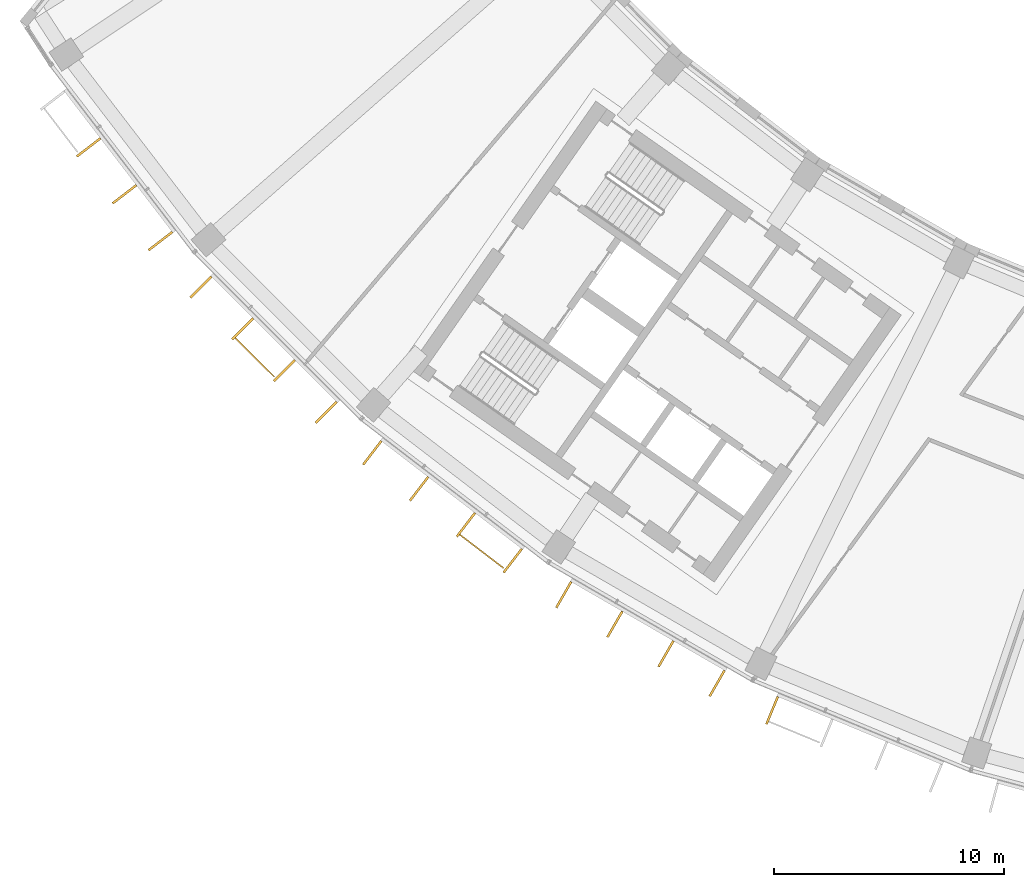
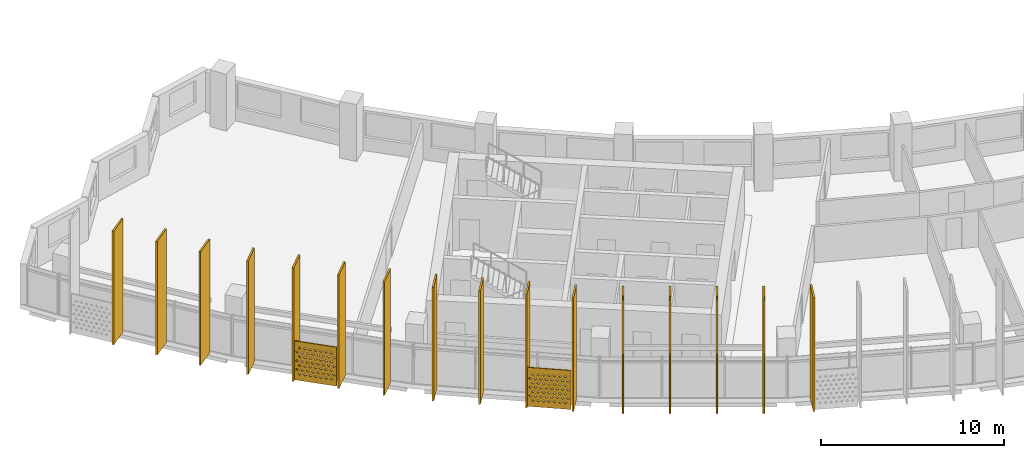
# One storey, part 23 of 28: 18 shading devices.
"""IFC4 building model written with IfcOpenShell, lengths in metres."""

from ifc_helpers import new_model, si_unit, direction, frame, origin, origin_2d, place, context, subcontext, project, spatial, polyline, rectangle, outline, extrude, material, material_profile, profile_set, type_object, element, save


model = new_model("IFC4")

# Units and contexts
model_context = context("Model", 3, precision=1e-05, world=origin(), true_north=direction((0.0, 1.0)))
body_context = subcontext(model_context, "Body", "Model", "MODEL_VIEW")
ifc_project = project(units=[si_unit("LENGTHUNIT", "METRE"), si_unit("AREAUNIT", "SQUARE_METRE"), si_unit("VOLUMEUNIT", "CUBIC_METRE"), si_unit("PLANEANGLEUNIT", "RADIAN"), si_unit("MASSUNIT", "GRAM", prefix="KILO")], contexts=[model_context])

# Site, building, storey
site_placement = place(None, origin())
site = spatial("IfcSite", under=ifc_project, at=site_placement, CompositionType="ELEMENT")
building_placement = place(site_placement, origin())
building = spatial("IfcBuilding", under=site, at=building_placement, Name="Qamariyya Broadcast Tower", CompositionType="ELEMENT")
storey_placement = place(building_placement, frame((0.0, 0.0, 218.89990234375)))
storey = spatial("IfcBuildingStorey", under=building, at=storey_placement, Name="L52", CompositionType="ELEMENT", Elevation=218.89990234375)

# Shading devices
ifc_material_1 = material(Name="Perforated glazed terracotta", Category="masonry")
ifc_material_profile_1 = material_profile(ifc_material_1, outline(polyline([(-1.199951171875, -1.300048828125), (1.199951171875, -1.300048828125), (1.199951171875, 1.300048828125), (-1.199951171875, 1.300048828125), (-1.199951171875, -1.300048828125)]), holes=[polyline([(-0.81494140625, -0.86669921875), (-0.89990234375, -0.78173828125), (-0.985107421875, -0.86669921875), (-0.89990234375, -0.95166015625), (-0.81494140625, -0.86669921875)]), polyline([(-0.514892578125, -0.86669921875), (-0.60009765625, -0.78173828125), (-0.68505859375, -0.86669921875), (-0.60009765625, -0.95166015625), (-0.514892578125, -0.86669921875)]), polyline([(-0.215087890625, -0.86669921875), (-0.300048828125, -0.78173828125), (-0.385009765625, -0.86669921875), (-0.300048828125, -0.95166015625), (-0.215087890625, -0.86669921875)]), polyline([(0.0849609375, -0.86669921875), (0.0, -0.78173828125), (-0.0849609375, -0.86669921875), (0.0, -0.95166015625), (0.0849609375, -0.86669921875)]), polyline([(0.385009765625, -0.86669921875), (0.300048828125, -0.78173828125), (0.215087890625, -0.86669921875), (0.300048828125, -0.95166015625), (0.385009765625, -0.86669921875)]), polyline([(0.68505859375, -0.86669921875), (0.60009765625, -0.78173828125), (0.514892578125, -0.86669921875), (0.60009765625, -0.95166015625), (0.68505859375, -0.86669921875)]), polyline([(0.985107421875, -0.86669921875), (0.89990234375, -0.78173828125), (0.81494140625, -0.86669921875), (0.89990234375, -0.95166015625), (0.985107421875, -0.86669921875)]), polyline([(-0.965087890625, -0.577880859375), (-1.050048828125, -0.49267578125), (-1.135009765625, -0.577880859375), (-1.050048828125, -0.662841796875), (-0.965087890625, -0.577880859375)]), polyline([(-0.6650390625, -0.577880859375), (-0.75, -0.49267578125), (-0.8349609375, -0.577880859375), (-0.75, -0.662841796875), (-0.6650390625, -0.577880859375)]), polyline([(-0.364990234375, -0.577880859375), (-0.449951171875, -0.49267578125), (-0.534912109375, -0.577880859375), (-0.449951171875, -0.662841796875), (-0.364990234375, -0.577880859375)]), polyline([(-0.06494140625, -0.577880859375), (-0.14990234375, -0.49267578125), (-0.235107421875, -0.577880859375), (-0.14990234375, -0.662841796875), (-0.06494140625, -0.577880859375)]), polyline([(0.235107421875, -0.577880859375), (0.14990234375, -0.49267578125), (0.06494140625, -0.577880859375), (0.14990234375, -0.662841796875), (0.235107421875, -0.577880859375)]), polyline([(0.534912109375, -0.577880859375), (0.449951171875, -0.49267578125), (0.364990234375, -0.577880859375), (0.449951171875, -0.662841796875), (0.534912109375, -0.577880859375)]), polyline([(0.8349609375, -0.577880859375), (0.75, -0.49267578125), (0.6650390625, -0.577880859375), (0.75, -0.662841796875), (0.8349609375, -0.577880859375)]), polyline([(1.135009765625, -0.577880859375), (1.050048828125, -0.49267578125), (0.965087890625, -0.577880859375), (1.050048828125, -0.662841796875), (1.135009765625, -0.577880859375)]), polyline([(-0.81494140625, -0.288818359375), (-0.89990234375, -0.203857421875), (-0.985107421875, -0.288818359375), (-0.89990234375, -0.373779296875), (-0.81494140625, -0.288818359375)]), polyline([(-0.514892578125, -0.288818359375), (-0.60009765625, -0.203857421875), (-0.68505859375, -0.288818359375), (-0.60009765625, -0.373779296875), (-0.514892578125, -0.288818359375)]), polyline([(-0.215087890625, -0.288818359375), (-0.300048828125, -0.203857421875), (-0.385009765625, -0.288818359375), (-0.300048828125, -0.373779296875), (-0.215087890625, -0.288818359375)]), polyline([(0.0849609375, -0.288818359375), (0.0, -0.203857421875), (-0.0849609375, -0.288818359375), (0.0, -0.373779296875), (0.0849609375, -0.288818359375)]), polyline([(0.385009765625, -0.288818359375), (0.300048828125, -0.203857421875), (0.215087890625, -0.288818359375), (0.300048828125, -0.373779296875), (0.385009765625, -0.288818359375)]), polyline([(0.68505859375, -0.288818359375), (0.60009765625, -0.203857421875), (0.514892578125, -0.288818359375), (0.60009765625, -0.373779296875), (0.68505859375, -0.288818359375)]), polyline([(0.985107421875, -0.288818359375), (0.89990234375, -0.203857421875), (0.81494140625, -0.288818359375), (0.89990234375, -0.373779296875), (0.985107421875, -0.288818359375)]), polyline([(-0.965087890625, 0.0), (-1.050048828125, 0.0849609375), (-1.135009765625, 0.0), (-1.050048828125, -0.0849609375), (-0.965087890625, 0.0)]), polyline([(-0.6650390625, 0.0), (-0.75, 0.0849609375), (-0.8349609375, 0.0), (-0.75, -0.0849609375), (-0.6650390625, 0.0)]), polyline([(-0.364990234375, 0.0), (-0.449951171875, 0.0849609375), (-0.534912109375, 0.0), (-0.449951171875, -0.0849609375), (-0.364990234375, 0.0)]), polyline([(-0.06494140625, 0.0), (-0.14990234375, 0.0849609375), (-0.235107421875, 0.0), (-0.14990234375, -0.0849609375), (-0.06494140625, 0.0)]), polyline([(0.235107421875, 0.0), (0.14990234375, 0.0849609375), (0.06494140625, 0.0), (0.14990234375, -0.0849609375), (0.235107421875, 0.0)]), polyline([(0.534912109375, 0.0), (0.449951171875, 0.0849609375), (0.364990234375, 0.0), (0.449951171875, -0.0849609375), (0.534912109375, 0.0)]), polyline([(0.8349609375, 0.0), (0.75, 0.0849609375), (0.6650390625, 0.0), (0.75, -0.0849609375), (0.8349609375, 0.0)]), polyline([(1.135009765625, 0.0), (1.050048828125, 0.0849609375), (0.965087890625, 0.0), (1.050048828125, -0.0849609375), (1.135009765625, 0.0)]), polyline([(-0.81494140625, 0.288818359375), (-0.89990234375, 0.373779296875), (-0.985107421875, 0.288818359375), (-0.89990234375, 0.203857421875), (-0.81494140625, 0.288818359375)]), polyline([(-0.514892578125, 0.288818359375), (-0.60009765625, 0.373779296875), (-0.68505859375, 0.288818359375), (-0.60009765625, 0.203857421875), (-0.514892578125, 0.288818359375)]), polyline([(-0.215087890625, 0.288818359375), (-0.300048828125, 0.373779296875), (-0.385009765625, 0.288818359375), (-0.300048828125, 0.203857421875), (-0.215087890625, 0.288818359375)]), polyline([(0.0849609375, 0.288818359375), (0.0, 0.373779296875), (-0.0849609375, 0.288818359375), (0.0, 0.203857421875), (0.0849609375, 0.288818359375)]), polyline([(0.385009765625, 0.288818359375), (0.300048828125, 0.373779296875), (0.215087890625, 0.288818359375), (0.300048828125, 0.203857421875), (0.385009765625, 0.288818359375)]), polyline([(0.68505859375, 0.288818359375), (0.60009765625, 0.373779296875), (0.514892578125, 0.288818359375), (0.60009765625, 0.203857421875), (0.68505859375, 0.288818359375)]), polyline([(0.985107421875, 0.288818359375), (0.89990234375, 0.373779296875), (0.81494140625, 0.288818359375), (0.89990234375, 0.203857421875), (0.985107421875, 0.288818359375)]), polyline([(-0.965087890625, 0.577880859375), (-1.050048828125, 0.662841796875), (-1.135009765625, 0.577880859375), (-1.050048828125, 0.49267578125), (-0.965087890625, 0.577880859375)]), polyline([(-0.6650390625, 0.577880859375), (-0.75, 0.662841796875), (-0.8349609375, 0.577880859375), (-0.75, 0.49267578125), (-0.6650390625, 0.577880859375)]), polyline([(-0.364990234375, 0.577880859375), (-0.449951171875, 0.662841796875), (-0.534912109375, 0.577880859375), (-0.449951171875, 0.49267578125), (-0.364990234375, 0.577880859375)]), polyline([(-0.06494140625, 0.577880859375), (-0.14990234375, 0.662841796875), (-0.235107421875, 0.577880859375), (-0.14990234375, 0.49267578125), (-0.06494140625, 0.577880859375)]), polyline([(0.235107421875, 0.577880859375), (0.14990234375, 0.662841796875), (0.06494140625, 0.577880859375), (0.14990234375, 0.49267578125), (0.235107421875, 0.577880859375)]), polyline([(0.534912109375, 0.577880859375), (0.449951171875, 0.662841796875), (0.364990234375, 0.577880859375), (0.449951171875, 0.49267578125), (0.534912109375, 0.577880859375)]), polyline([(0.8349609375, 0.577880859375), (0.75, 0.662841796875), (0.6650390625, 0.577880859375), (0.75, 0.49267578125), (0.8349609375, 0.577880859375)]), polyline([(1.135009765625, 0.577880859375), (1.050048828125, 0.662841796875), (0.965087890625, 0.577880859375), (1.050048828125, 0.49267578125), (1.135009765625, 0.577880859375)]), polyline([(-0.81494140625, 0.86669921875), (-0.89990234375, 0.95166015625), (-0.985107421875, 0.86669921875), (-0.89990234375, 0.78173828125), (-0.81494140625, 0.86669921875)]), polyline([(-0.514892578125, 0.86669921875), (-0.60009765625, 0.95166015625), (-0.68505859375, 0.86669921875), (-0.60009765625, 0.78173828125), (-0.514892578125, 0.86669921875)]), polyline([(-0.215087890625, 0.86669921875), (-0.300048828125, 0.95166015625), (-0.385009765625, 0.86669921875), (-0.300048828125, 0.78173828125), (-0.215087890625, 0.86669921875)]), polyline([(0.0849609375, 0.86669921875), (0.0, 0.95166015625), (-0.0849609375, 0.86669921875), (0.0, 0.78173828125), (0.0849609375, 0.86669921875)]), polyline([(0.385009765625, 0.86669921875), (0.300048828125, 0.95166015625), (0.215087890625, 0.86669921875), (0.300048828125, 0.78173828125), (0.385009765625, 0.86669921875)]), polyline([(0.68505859375, 0.86669921875), (0.60009765625, 0.95166015625), (0.514892578125, 0.86669921875), (0.60009765625, 0.78173828125), (0.68505859375, 0.86669921875)]), polyline([(0.985107421875, 0.86669921875), (0.89990234375, 0.95166015625), (0.81494140625, 0.86669921875), (0.89990234375, 0.78173828125), (0.985107421875, 0.86669921875)])]))
ifc_profile_set_1 = profile_set([ifc_material_profile_1], Name="Perforated glazed terracotta")
shading_device_type_1 = type_object("IfcShadingDeviceType", Name="Perforated terracotta screen 2400 x 2600", PredefinedType="USERDEFINED", material=ifc_profile_set_1)
shading_device_1_placement = place(storey_placement, frame((-56.41845703125, -56.367431640625, 1.35009765625), z_axis=(-0.705066081692, -0.709141608176, 0.0), x_axis=(0.709141608176, -0.705066081692, 0.0)))
element("IfcShadingDevice", 1, at=shading_device_1_placement, inside=storey, type_object=shading_device_type_1, Name="e-scr-L52-02-1", ObjectType="SCREEN", PredefinedType="USERDEFINED", context=body_context, shape_type="SweptSolid", body=[
    extrude(outline(polyline([(-1.199951171875, -1.300048828125), (1.199951171875, -1.300048828125), (1.199951171875, 1.300048828125), (-1.199951171875, 1.300048828125), (-1.199951171875, -1.300048828125)]), holes=[polyline([(-0.81494140625, -0.86669921875), (-0.89990234375, -0.78173828125), (-0.985107421875, -0.86669921875), (-0.89990234375, -0.95166015625), (-0.81494140625, -0.86669921875)]), polyline([(-0.514892578125, -0.86669921875), (-0.60009765625, -0.78173828125), (-0.68505859375, -0.86669921875), (-0.60009765625, -0.95166015625), (-0.514892578125, -0.86669921875)]), polyline([(-0.215087890625, -0.86669921875), (-0.300048828125, -0.78173828125), (-0.385009765625, -0.86669921875), (-0.300048828125, -0.95166015625), (-0.215087890625, -0.86669921875)]), polyline([(0.0849609375, -0.86669921875), (0.0, -0.78173828125), (-0.0849609375, -0.86669921875), (0.0, -0.95166015625), (0.0849609375, -0.86669921875)]), polyline([(0.385009765625, -0.86669921875), (0.300048828125, -0.78173828125), (0.215087890625, -0.86669921875), (0.300048828125, -0.95166015625), (0.385009765625, -0.86669921875)]), polyline([(0.68505859375, -0.86669921875), (0.60009765625, -0.78173828125), (0.514892578125, -0.86669921875), (0.60009765625, -0.95166015625), (0.68505859375, -0.86669921875)]), polyline([(0.985107421875, -0.86669921875), (0.89990234375, -0.78173828125), (0.81494140625, -0.86669921875), (0.89990234375, -0.95166015625), (0.985107421875, -0.86669921875)]), polyline([(-0.965087890625, -0.577880859375), (-1.050048828125, -0.49267578125), (-1.135009765625, -0.577880859375), (-1.050048828125, -0.662841796875), (-0.965087890625, -0.577880859375)]), polyline([(-0.6650390625, -0.577880859375), (-0.75, -0.49267578125), (-0.8349609375, -0.577880859375), (-0.75, -0.662841796875), (-0.6650390625, -0.577880859375)]), polyline([(-0.364990234375, -0.577880859375), (-0.449951171875, -0.49267578125), (-0.534912109375, -0.577880859375), (-0.449951171875, -0.662841796875), (-0.364990234375, -0.577880859375)]), polyline([(-0.06494140625, -0.577880859375), (-0.14990234375, -0.49267578125), (-0.235107421875, -0.577880859375), (-0.14990234375, -0.662841796875), (-0.06494140625, -0.577880859375)]), polyline([(0.235107421875, -0.577880859375), (0.14990234375, -0.49267578125), (0.06494140625, -0.577880859375), (0.14990234375, -0.662841796875), (0.235107421875, -0.577880859375)]), polyline([(0.534912109375, -0.577880859375), (0.449951171875, -0.49267578125), (0.364990234375, -0.577880859375), (0.449951171875, -0.662841796875), (0.534912109375, -0.577880859375)]), polyline([(0.8349609375, -0.577880859375), (0.75, -0.49267578125), (0.6650390625, -0.577880859375), (0.75, -0.662841796875), (0.8349609375, -0.577880859375)]), polyline([(1.135009765625, -0.577880859375), (1.050048828125, -0.49267578125), (0.965087890625, -0.577880859375), (1.050048828125, -0.662841796875), (1.135009765625, -0.577880859375)]), polyline([(-0.81494140625, -0.288818359375), (-0.89990234375, -0.203857421875), (-0.985107421875, -0.288818359375), (-0.89990234375, -0.373779296875), (-0.81494140625, -0.288818359375)]), polyline([(-0.514892578125, -0.288818359375), (-0.60009765625, -0.203857421875), (-0.68505859375, -0.288818359375), (-0.60009765625, -0.373779296875), (-0.514892578125, -0.288818359375)]), polyline([(-0.215087890625, -0.288818359375), (-0.300048828125, -0.203857421875), (-0.385009765625, -0.288818359375), (-0.300048828125, -0.373779296875), (-0.215087890625, -0.288818359375)]), polyline([(0.0849609375, -0.288818359375), (0.0, -0.203857421875), (-0.0849609375, -0.288818359375), (0.0, -0.373779296875), (0.0849609375, -0.288818359375)]), polyline([(0.385009765625, -0.288818359375), (0.300048828125, -0.203857421875), (0.215087890625, -0.288818359375), (0.300048828125, -0.373779296875), (0.385009765625, -0.288818359375)]), polyline([(0.68505859375, -0.288818359375), (0.60009765625, -0.203857421875), (0.514892578125, -0.288818359375), (0.60009765625, -0.373779296875), (0.68505859375, -0.288818359375)]), polyline([(0.985107421875, -0.288818359375), (0.89990234375, -0.203857421875), (0.81494140625, -0.288818359375), (0.89990234375, -0.373779296875), (0.985107421875, -0.288818359375)]), polyline([(-0.965087890625, 0.0), (-1.050048828125, 0.0849609375), (-1.135009765625, 0.0), (-1.050048828125, -0.0849609375), (-0.965087890625, 0.0)]), polyline([(-0.6650390625, 0.0), (-0.75, 0.0849609375), (-0.8349609375, 0.0), (-0.75, -0.0849609375), (-0.6650390625, 0.0)]), polyline([(-0.364990234375, 0.0), (-0.449951171875, 0.0849609375), (-0.534912109375, 0.0), (-0.449951171875, -0.0849609375), (-0.364990234375, 0.0)]), polyline([(-0.06494140625, 0.0), (-0.14990234375, 0.0849609375), (-0.235107421875, 0.0), (-0.14990234375, -0.0849609375), (-0.06494140625, 0.0)]), polyline([(0.235107421875, 0.0), (0.14990234375, 0.0849609375), (0.06494140625, 0.0), (0.14990234375, -0.0849609375), (0.235107421875, 0.0)]), polyline([(0.534912109375, 0.0), (0.449951171875, 0.0849609375), (0.364990234375, 0.0), (0.449951171875, -0.0849609375), (0.534912109375, 0.0)]), polyline([(0.8349609375, 0.0), (0.75, 0.0849609375), (0.6650390625, 0.0), (0.75, -0.0849609375), (0.8349609375, 0.0)]), polyline([(1.135009765625, 0.0), (1.050048828125, 0.0849609375), (0.965087890625, 0.0), (1.050048828125, -0.0849609375), (1.135009765625, 0.0)]), polyline([(-0.81494140625, 0.288818359375), (-0.89990234375, 0.373779296875), (-0.985107421875, 0.288818359375), (-0.89990234375, 0.203857421875), (-0.81494140625, 0.288818359375)]), polyline([(-0.514892578125, 0.288818359375), (-0.60009765625, 0.373779296875), (-0.68505859375, 0.288818359375), (-0.60009765625, 0.203857421875), (-0.514892578125, 0.288818359375)]), polyline([(-0.215087890625, 0.288818359375), (-0.300048828125, 0.373779296875), (-0.385009765625, 0.288818359375), (-0.300048828125, 0.203857421875), (-0.215087890625, 0.288818359375)]), polyline([(0.0849609375, 0.288818359375), (0.0, 0.373779296875), (-0.0849609375, 0.288818359375), (0.0, 0.203857421875), (0.0849609375, 0.288818359375)]), polyline([(0.385009765625, 0.288818359375), (0.300048828125, 0.373779296875), (0.215087890625, 0.288818359375), (0.300048828125, 0.203857421875), (0.385009765625, 0.288818359375)]), polyline([(0.68505859375, 0.288818359375), (0.60009765625, 0.373779296875), (0.514892578125, 0.288818359375), (0.60009765625, 0.203857421875), (0.68505859375, 0.288818359375)]), polyline([(0.985107421875, 0.288818359375), (0.89990234375, 0.373779296875), (0.81494140625, 0.288818359375), (0.89990234375, 0.203857421875), (0.985107421875, 0.288818359375)]), polyline([(-0.965087890625, 0.577880859375), (-1.050048828125, 0.662841796875), (-1.135009765625, 0.577880859375), (-1.050048828125, 0.49267578125), (-0.965087890625, 0.577880859375)]), polyline([(-0.6650390625, 0.577880859375), (-0.75, 0.662841796875), (-0.8349609375, 0.577880859375), (-0.75, 0.49267578125), (-0.6650390625, 0.577880859375)]), polyline([(-0.364990234375, 0.577880859375), (-0.449951171875, 0.662841796875), (-0.534912109375, 0.577880859375), (-0.449951171875, 0.49267578125), (-0.364990234375, 0.577880859375)]), polyline([(-0.06494140625, 0.577880859375), (-0.14990234375, 0.662841796875), (-0.235107421875, 0.577880859375), (-0.14990234375, 0.49267578125), (-0.06494140625, 0.577880859375)]), polyline([(0.235107421875, 0.577880859375), (0.14990234375, 0.662841796875), (0.06494140625, 0.577880859375), (0.14990234375, 0.49267578125), (0.235107421875, 0.577880859375)]), polyline([(0.534912109375, 0.577880859375), (0.449951171875, 0.662841796875), (0.364990234375, 0.577880859375), (0.449951171875, 0.49267578125), (0.534912109375, 0.577880859375)]), polyline([(0.8349609375, 0.577880859375), (0.75, 0.662841796875), (0.6650390625, 0.577880859375), (0.75, 0.49267578125), (0.8349609375, 0.577880859375)]), polyline([(1.135009765625, 0.577880859375), (1.050048828125, 0.662841796875), (0.965087890625, 0.577880859375), (1.050048828125, 0.49267578125), (1.135009765625, 0.577880859375)]), polyline([(-0.81494140625, 0.86669921875), (-0.89990234375, 0.95166015625), (-0.985107421875, 0.86669921875), (-0.89990234375, 0.78173828125), (-0.81494140625, 0.86669921875)]), polyline([(-0.514892578125, 0.86669921875), (-0.60009765625, 0.95166015625), (-0.68505859375, 0.86669921875), (-0.60009765625, 0.78173828125), (-0.514892578125, 0.86669921875)]), polyline([(-0.215087890625, 0.86669921875), (-0.300048828125, 0.95166015625), (-0.385009765625, 0.86669921875), (-0.300048828125, 0.78173828125), (-0.215087890625, 0.86669921875)]), polyline([(0.0849609375, 0.86669921875), (0.0, 0.95166015625), (-0.0849609375, 0.86669921875), (0.0, 0.78173828125), (0.0849609375, 0.86669921875)]), polyline([(0.385009765625, 0.86669921875), (0.300048828125, 0.95166015625), (0.215087890625, 0.86669921875), (0.300048828125, 0.78173828125), (0.385009765625, 0.86669921875)]), polyline([(0.68505859375, 0.86669921875), (0.60009765625, 0.95166015625), (0.514892578125, 0.86669921875), (0.60009765625, 0.78173828125), (0.68505859375, 0.86669921875)]), polyline([(0.985107421875, 0.86669921875), (0.89990234375, 0.95166015625), (0.81494140625, 0.86669921875), (0.89990234375, 0.78173828125), (0.985107421875, 0.86669921875)])]), origin(), (0.0, 0.0, 1.0), 0.059814453125),
])
shading_device_2_placement = place(storey_placement, frame((-46.537841796875, -64.81494140625, 1.35009765625), z_axis=(-0.607147566278, -0.794589096806, 0.0), x_axis=(0.794589096806, -0.607147566278, 0.0)))
element("IfcShadingDevice", 2, at=shading_device_2_placement, inside=storey, type_object=shading_device_type_1, Name="e-scr-L52-03-2", ObjectType="SCREEN", PredefinedType="USERDEFINED", context=body_context, shape_type="SweptSolid", body=[
    extrude(outline(polyline([(-1.199951171875, -1.300048828125), (1.199951171875, -1.300048828125), (1.199951171875, 1.300048828125), (-1.199951171875, 1.300048828125), (-1.199951171875, -1.300048828125)]), holes=[polyline([(-0.81494140625, -0.86669921875), (-0.89990234375, -0.78173828125), (-0.985107421875, -0.86669921875), (-0.89990234375, -0.95166015625), (-0.81494140625, -0.86669921875)]), polyline([(-0.514892578125, -0.86669921875), (-0.60009765625, -0.78173828125), (-0.68505859375, -0.86669921875), (-0.60009765625, -0.95166015625), (-0.514892578125, -0.86669921875)]), polyline([(-0.215087890625, -0.86669921875), (-0.300048828125, -0.78173828125), (-0.385009765625, -0.86669921875), (-0.300048828125, -0.95166015625), (-0.215087890625, -0.86669921875)]), polyline([(0.0849609375, -0.86669921875), (0.0, -0.78173828125), (-0.0849609375, -0.86669921875), (0.0, -0.95166015625), (0.0849609375, -0.86669921875)]), polyline([(0.385009765625, -0.86669921875), (0.300048828125, -0.78173828125), (0.215087890625, -0.86669921875), (0.300048828125, -0.95166015625), (0.385009765625, -0.86669921875)]), polyline([(0.68505859375, -0.86669921875), (0.60009765625, -0.78173828125), (0.514892578125, -0.86669921875), (0.60009765625, -0.95166015625), (0.68505859375, -0.86669921875)]), polyline([(0.985107421875, -0.86669921875), (0.89990234375, -0.78173828125), (0.81494140625, -0.86669921875), (0.89990234375, -0.95166015625), (0.985107421875, -0.86669921875)]), polyline([(-0.965087890625, -0.577880859375), (-1.050048828125, -0.49267578125), (-1.135009765625, -0.577880859375), (-1.050048828125, -0.662841796875), (-0.965087890625, -0.577880859375)]), polyline([(-0.6650390625, -0.577880859375), (-0.75, -0.49267578125), (-0.8349609375, -0.577880859375), (-0.75, -0.662841796875), (-0.6650390625, -0.577880859375)]), polyline([(-0.364990234375, -0.577880859375), (-0.449951171875, -0.49267578125), (-0.534912109375, -0.577880859375), (-0.449951171875, -0.662841796875), (-0.364990234375, -0.577880859375)]), polyline([(-0.06494140625, -0.577880859375), (-0.14990234375, -0.49267578125), (-0.235107421875, -0.577880859375), (-0.14990234375, -0.662841796875), (-0.06494140625, -0.577880859375)]), polyline([(0.235107421875, -0.577880859375), (0.14990234375, -0.49267578125), (0.06494140625, -0.577880859375), (0.14990234375, -0.662841796875), (0.235107421875, -0.577880859375)]), polyline([(0.534912109375, -0.577880859375), (0.449951171875, -0.49267578125), (0.364990234375, -0.577880859375), (0.449951171875, -0.662841796875), (0.534912109375, -0.577880859375)]), polyline([(0.8349609375, -0.577880859375), (0.75, -0.49267578125), (0.6650390625, -0.577880859375), (0.75, -0.662841796875), (0.8349609375, -0.577880859375)]), polyline([(1.135009765625, -0.577880859375), (1.050048828125, -0.49267578125), (0.965087890625, -0.577880859375), (1.050048828125, -0.662841796875), (1.135009765625, -0.577880859375)]), polyline([(-0.81494140625, -0.288818359375), (-0.89990234375, -0.203857421875), (-0.985107421875, -0.288818359375), (-0.89990234375, -0.373779296875), (-0.81494140625, -0.288818359375)]), polyline([(-0.514892578125, -0.288818359375), (-0.60009765625, -0.203857421875), (-0.68505859375, -0.288818359375), (-0.60009765625, -0.373779296875), (-0.514892578125, -0.288818359375)]), polyline([(-0.215087890625, -0.288818359375), (-0.300048828125, -0.203857421875), (-0.385009765625, -0.288818359375), (-0.300048828125, -0.373779296875), (-0.215087890625, -0.288818359375)]), polyline([(0.0849609375, -0.288818359375), (0.0, -0.203857421875), (-0.0849609375, -0.288818359375), (0.0, -0.373779296875), (0.0849609375, -0.288818359375)]), polyline([(0.385009765625, -0.288818359375), (0.300048828125, -0.203857421875), (0.215087890625, -0.288818359375), (0.300048828125, -0.373779296875), (0.385009765625, -0.288818359375)]), polyline([(0.68505859375, -0.288818359375), (0.60009765625, -0.203857421875), (0.514892578125, -0.288818359375), (0.60009765625, -0.373779296875), (0.68505859375, -0.288818359375)]), polyline([(0.985107421875, -0.288818359375), (0.89990234375, -0.203857421875), (0.81494140625, -0.288818359375), (0.89990234375, -0.373779296875), (0.985107421875, -0.288818359375)]), polyline([(-0.965087890625, 0.0), (-1.050048828125, 0.0849609375), (-1.135009765625, 0.0), (-1.050048828125, -0.0849609375), (-0.965087890625, 0.0)]), polyline([(-0.6650390625, 0.0), (-0.75, 0.0849609375), (-0.8349609375, 0.0), (-0.75, -0.0849609375), (-0.6650390625, 0.0)]), polyline([(-0.364990234375, 0.0), (-0.449951171875, 0.0849609375), (-0.534912109375, 0.0), (-0.449951171875, -0.0849609375), (-0.364990234375, 0.0)]), polyline([(-0.06494140625, 0.0), (-0.14990234375, 0.0849609375), (-0.235107421875, 0.0), (-0.14990234375, -0.0849609375), (-0.06494140625, 0.0)]), polyline([(0.235107421875, 0.0), (0.14990234375, 0.0849609375), (0.06494140625, 0.0), (0.14990234375, -0.0849609375), (0.235107421875, 0.0)]), polyline([(0.534912109375, 0.0), (0.449951171875, 0.0849609375), (0.364990234375, 0.0), (0.449951171875, -0.0849609375), (0.534912109375, 0.0)]), polyline([(0.8349609375, 0.0), (0.75, 0.0849609375), (0.6650390625, 0.0), (0.75, -0.0849609375), (0.8349609375, 0.0)]), polyline([(1.135009765625, 0.0), (1.050048828125, 0.0849609375), (0.965087890625, 0.0), (1.050048828125, -0.0849609375), (1.135009765625, 0.0)]), polyline([(-0.81494140625, 0.288818359375), (-0.89990234375, 0.373779296875), (-0.985107421875, 0.288818359375), (-0.89990234375, 0.203857421875), (-0.81494140625, 0.288818359375)]), polyline([(-0.514892578125, 0.288818359375), (-0.60009765625, 0.373779296875), (-0.68505859375, 0.288818359375), (-0.60009765625, 0.203857421875), (-0.514892578125, 0.288818359375)]), polyline([(-0.215087890625, 0.288818359375), (-0.300048828125, 0.373779296875), (-0.385009765625, 0.288818359375), (-0.300048828125, 0.203857421875), (-0.215087890625, 0.288818359375)]), polyline([(0.0849609375, 0.288818359375), (0.0, 0.373779296875), (-0.0849609375, 0.288818359375), (0.0, 0.203857421875), (0.0849609375, 0.288818359375)]), polyline([(0.385009765625, 0.288818359375), (0.300048828125, 0.373779296875), (0.215087890625, 0.288818359375), (0.300048828125, 0.203857421875), (0.385009765625, 0.288818359375)]), polyline([(0.68505859375, 0.288818359375), (0.60009765625, 0.373779296875), (0.514892578125, 0.288818359375), (0.60009765625, 0.203857421875), (0.68505859375, 0.288818359375)]), polyline([(0.985107421875, 0.288818359375), (0.89990234375, 0.373779296875), (0.81494140625, 0.288818359375), (0.89990234375, 0.203857421875), (0.985107421875, 0.288818359375)]), polyline([(-0.965087890625, 0.577880859375), (-1.050048828125, 0.662841796875), (-1.135009765625, 0.577880859375), (-1.050048828125, 0.49267578125), (-0.965087890625, 0.577880859375)]), polyline([(-0.6650390625, 0.577880859375), (-0.75, 0.662841796875), (-0.8349609375, 0.577880859375), (-0.75, 0.49267578125), (-0.6650390625, 0.577880859375)]), polyline([(-0.364990234375, 0.577880859375), (-0.449951171875, 0.662841796875), (-0.534912109375, 0.577880859375), (-0.449951171875, 0.49267578125), (-0.364990234375, 0.577880859375)]), polyline([(-0.06494140625, 0.577880859375), (-0.14990234375, 0.662841796875), (-0.235107421875, 0.577880859375), (-0.14990234375, 0.49267578125), (-0.06494140625, 0.577880859375)]), polyline([(0.235107421875, 0.577880859375), (0.14990234375, 0.662841796875), (0.06494140625, 0.577880859375), (0.14990234375, 0.49267578125), (0.235107421875, 0.577880859375)]), polyline([(0.534912109375, 0.577880859375), (0.449951171875, 0.662841796875), (0.364990234375, 0.577880859375), (0.449951171875, 0.49267578125), (0.534912109375, 0.577880859375)]), polyline([(0.8349609375, 0.577880859375), (0.75, 0.662841796875), (0.6650390625, 0.577880859375), (0.75, 0.49267578125), (0.8349609375, 0.577880859375)]), polyline([(1.135009765625, 0.577880859375), (1.050048828125, 0.662841796875), (0.965087890625, 0.577880859375), (1.050048828125, 0.49267578125), (1.135009765625, 0.577880859375)]), polyline([(-0.81494140625, 0.86669921875), (-0.89990234375, 0.95166015625), (-0.985107421875, 0.86669921875), (-0.89990234375, 0.78173828125), (-0.81494140625, 0.86669921875)]), polyline([(-0.514892578125, 0.86669921875), (-0.60009765625, 0.95166015625), (-0.68505859375, 0.86669921875), (-0.60009765625, 0.78173828125), (-0.514892578125, 0.86669921875)]), polyline([(-0.215087890625, 0.86669921875), (-0.300048828125, 0.95166015625), (-0.385009765625, 0.86669921875), (-0.300048828125, 0.78173828125), (-0.215087890625, 0.86669921875)]), polyline([(0.0849609375, 0.86669921875), (0.0, 0.95166015625), (-0.0849609375, 0.86669921875), (0.0, 0.78173828125), (0.0849609375, 0.86669921875)]), polyline([(0.385009765625, 0.86669921875), (0.300048828125, 0.95166015625), (0.215087890625, 0.86669921875), (0.300048828125, 0.78173828125), (0.385009765625, 0.86669921875)]), polyline([(0.68505859375, 0.86669921875), (0.60009765625, 0.95166015625), (0.514892578125, 0.86669921875), (0.60009765625, 0.78173828125), (0.68505859375, 0.86669921875)]), polyline([(0.985107421875, 0.86669921875), (0.89990234375, 0.95166015625), (0.81494140625, 0.86669921875), (0.89990234375, 0.78173828125), (0.985107421875, 0.86669921875)])]), origin(), (0.0, 0.0, 1.0), 0.059814453125),
])
ifc_material_2 = material(Name="Glazed terracotta", Category="masonry")
ifc_material_profile_2 = material_profile(ifc_material_2, rectangle(XDim=1.300048828125, YDim=0.10009765625, at=origin_2d()))
ifc_profile_set_2 = profile_set([ifc_material_profile_2], Name="Glazed terracotta")
shading_device_type_2 = type_object("IfcShadingDeviceType", Name="Terracotta fin 100 x 1300", PredefinedType="USERDEFINED", material=ifc_profile_set_2)
for number, where, z_axis, x_axis, name in (
    (3, (-63.68115234375, -47.243408203125, 0.0), (0.0, 0.0, 1.0), (-0.793353340291, -0.608761429009, 0.0), "e-fin-L52-01-1"),
    (4, (-62.115478515625, -49.283935546875, 0.0), (0.0, 0.0, 1.0), (-0.793353340291, -0.608761429009, 0.0), "e-fin-L52-01-2"),
    (5, (-60.5498046875, -51.32421875, 0.0), (0.0, 0.0, 1.0), (-0.793353340291, -0.608761429009, 0.0), "e-fin-L52-01-3"),
    (6, (-58.78857421875, -53.33251953125, 0.0), (0.0, 0.0, 1.0), (-0.707106781187, -0.707106781187, 0.0), "e-fin-L52-02-0"),
    (7, (-56.969970703125, -55.151123046875, 0.0), (0.0, 0.0, 1.0), (-0.707106781187, -0.707106781187, 0.0), "e-fin-L52-02-1"),
    (8, (-55.151123046875, -56.969970703125, 0.0), (0.0, 0.0, 1.0), (-0.707106781187, -0.707106781187, 0.0), "e-fin-L52-02-2"),
    (9, (-53.33251953125, -58.78857421875, 0.0), (0.0, 0.0, 1.0), (-0.707106781187, -0.707106781187, 0.0), "e-fin-L52-02-3"),
    (10, (-51.32421875, -60.5498046875, 0.0), (0.0, 0.0, 1.0), (-0.608761429009, -0.793353340291, 0.0), "e-fin-L52-03-0"),
    (11, (-49.283935546875, -62.115478515625, 0.0), (0.0, 0.0, 1.0), (-0.608761429009, -0.793353340291, 0.0), "e-fin-L52-03-1"),
    (12, (-47.243408203125, -63.68115234375, 0.0), (0.0, 0.0, 1.0), (-0.608761429009, -0.793353340291, 0.0), "e-fin-L52-03-2"),
    (13, (-45.202880859375, -65.246826171875, 0.0), (0.0, 0.0, 1.0), (-0.608761429009, -0.793353340291, 0.0), "e-fin-L52-03-3"),
    (14, (-42.98193359375, -66.73095703125, 0.0), (0.0, 0.0, 1.0), (-0.5, -0.866025403784, 0.0), "e-fin-L52-04-0"),
    (15, (-40.75439453125, -68.016845703125, 0.0), (0.0, 0.0, 1.0), (-0.5, -0.866025403784, 0.0), "e-fin-L52-04-1"),
    (16, (-38.527099609375, -69.302978515625, 0.0), (0.0, 0.0, 1.0), (-0.5, -0.866025403784, 0.0), "e-fin-L52-04-2"),
    (17, (-36.2998046875, -70.5888671875, 0.0), (0.0, 0.0, 1.0), (-0.5, -0.866025403784, 0.0), "e-fin-L52-04-3"),
    (18, (-33.904052734375, -71.770263671875, 0.0), (0.0, 0.0, 1.0), (-0.382683432365, -0.923879532511, 0.0), "e-fin-L52-05-0"),
):
    element("IfcShadingDevice", number, at=place(storey_placement, frame(where, z_axis=z_axis, x_axis=x_axis)), inside=storey, type_object=shading_device_type_2, Name=name, ObjectType="FIN", PredefinedType="USERDEFINED", context=body_context, shape_type="SweptSolid", body=[
        extrude(rectangle(XDim=1.300048828125, YDim=0.10009765625, at=origin_2d()), origin(), (0.0, 0.0, 1.0), 7.60009765625),
    ])

save(model, "model.ifc")
